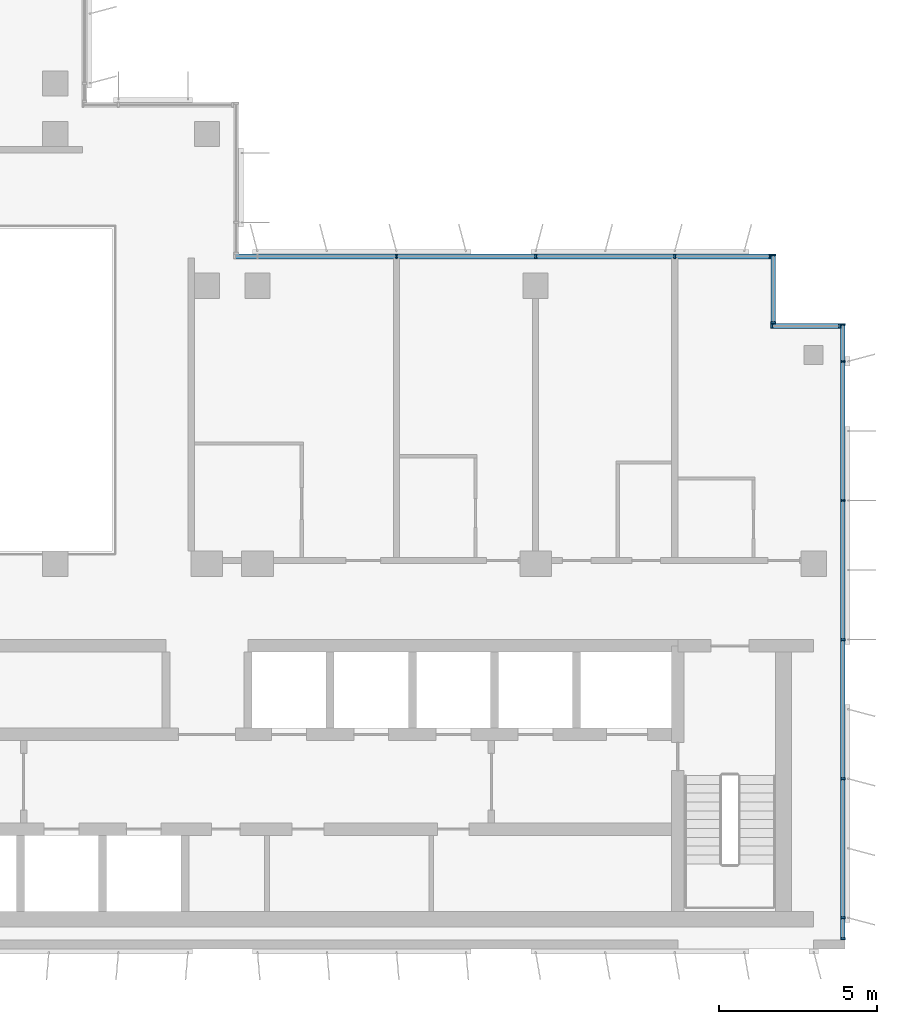
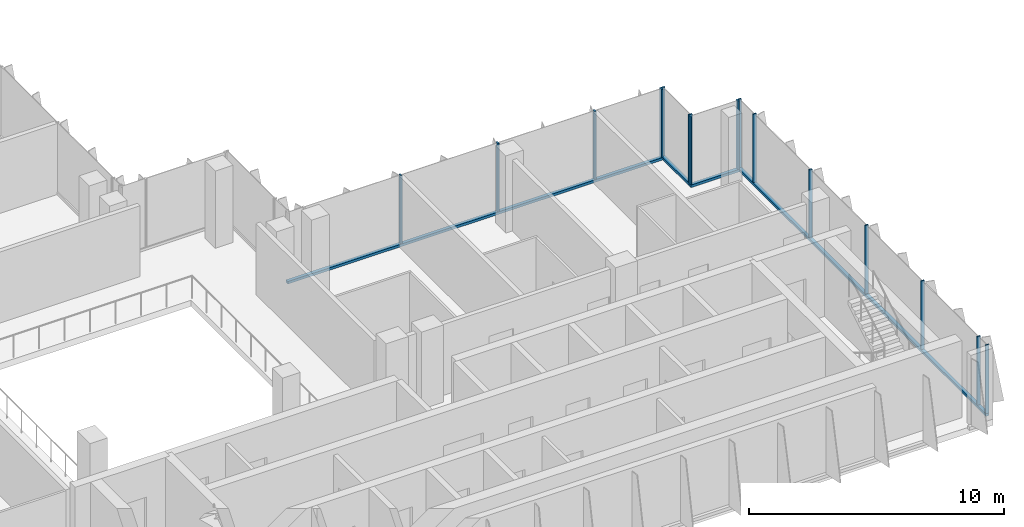
# One storey, part 3 of 15: 19 members, 4 elements without a shape of their own.
"""IFC4 building model written with IfcOpenShell, lengths in metres."""

from ifc_helpers import new_model, si_unit, direction, frame, origin, origin_2d, place, context, subcontext, project, spatial, rectangle, extrude, source, transform, mapped, material, material_profile, profile_set, type_object, element, aggregate, save


model = new_model("IFC4")

# Units and contexts
model_context = context("Model", 3, precision=1e-05, world=origin(), true_north=direction((0.0, 1.0)))
body_context = subcontext(model_context, "Body", "Model", "MODEL_VIEW")
ifc_project = project(units=[si_unit("LENGTHUNIT", "METRE"), si_unit("AREAUNIT", "SQUARE_METRE"), si_unit("VOLUMEUNIT", "CUBIC_METRE"), si_unit("PLANEANGLEUNIT", "RADIAN"), si_unit("MASSUNIT", "GRAM", prefix="KILO")], contexts=[model_context])

# Site, building, storey
site_placement = place(None, origin())
site = spatial("IfcSite", under=ifc_project, at=site_placement, CompositionType="ELEMENT")
building_placement = place(site_placement, origin())
building = spatial("IfcBuilding", under=site, at=building_placement, Name="Kemantara Hotel Tower", CompositionType="ELEMENT")
storey_placement = place(building_placement, frame((0.0, 0.0, 290.699951171875)))
storey = spatial("IfcBuildingStorey", under=building, at=storey_placement, Name="L73", CompositionType="ELEMENT", Elevation=290.699951171875)

# Curtain wall, member
ifc_material_1 = material(Name="Low-E tinted double insulated glass 36 mm", Category="glass")
curtain_wall_type = type_object("IfcCurtainWallType", Name="TOWER CURTAIN WALL, FRONT FACES", PredefinedType="USERDEFINED", material=ifc_material_1)
curtain_wall_1_placement = place(storey_placement, origin())
curtain_wall_1 = element("IfcCurtainWall", 1, at=curtain_wall_1_placement, inside=storey, type_object=curtain_wall_type, Name="CW4 L73 T4-R09-1", ObjectType="TOWER CURTAIN WALL, FRONT FACES", PredefinedType="USERDEFINED")
ifc_material_2 = material(Name="Aluminium 6063-T6 bronze anodised", Category="aluminium")
ifc_material_profile_1 = material_profile(ifc_material_2, rectangle(XDim=0.14990234375, YDim=0.1201171875, at=origin_2d()), Name="TOWER CURTAIN WALL, FRONT FACES TRANSOM")
ifc_profile_set_1 = profile_set([ifc_material_profile_1], Name="Aluminium 6063-T6 bronze anodised")
member_type_1 = type_object("IfcMemberType", Name="TOWER CURTAIN WALL, FRONT FACES TRANSOM", PredefinedType="USERDEFINED", material=ifc_profile_set_1)
member_1_placement = place(storey_placement, frame((45.925048828125, 0.300048828125, 0.06005859375), z_axis=(0.0, 1.0, 0.0), x_axis=(-1.0, 0.0, 0.0)))
member_1 = element("IfcMember", 2, at=member_1_placement, type_object=member_type_1, Name="CW4 sill transom T4-R09-1", ObjectType="TRANSOM", PredefinedType="USERDEFINED", context=body_context, shape_type="SweptSolid", body=[
    extrude(rectangle(XDim=0.14990234375, YDim=0.1201171875, at=origin_2d()), origin(), (0.0, 0.0, 1.0), 19.5),
])

curtain_wall_2_placement = place(storey_placement, origin())
curtain_wall_2 = element("IfcCurtainWall", 3, at=curtain_wall_2_placement, inside=storey, type_object=curtain_wall_type, Name="CW4 L73 T4-R12-1", ObjectType="TOWER CURTAIN WALL, FRONT FACES", PredefinedType="USERDEFINED")
member_2_placement = place(storey_placement, frame((43.64990234375, 21.925048828125, 0.06005859375), z_axis=(-1.0, 0.0, 0.0), x_axis=(0.0, -1.0, 0.0)))
member_2 = element("IfcMember", 4, at=member_2_placement, type_object=member_type_1, Name="CW4 sill transom T4-R12-1", ObjectType="TRANSOM", PredefinedType="USERDEFINED", context=body_context, shape_type="SweptSolid", body=[
    extrude(rectangle(XDim=0.14990234375, YDim=0.1201171875, at=origin_2d()), origin(), (0.0, 0.0, 1.0), 17.0),
])

curtain_wall_3_placement = place(storey_placement, origin())
curtain_wall_3 = element("IfcCurtainWall", 5, at=curtain_wall_3_placement, inside=storey, type_object=curtain_wall_type, Name="CW4 L73 T4-R10-1", ObjectType="TOWER CURTAIN WALL, FRONT FACES", PredefinedType="USERDEFINED")
member_3_placement = place(storey_placement, frame((45.85009765625, 19.72509765625, 0.06005859375), z_axis=(-1.0, 0.0, 0.0), x_axis=(0.0, -1.0, 0.0)))
member_3 = element("IfcMember", 6, at=member_3_placement, type_object=member_type_1, Name="CW4 sill transom T4-R10-1", ObjectType="TRANSOM", PredefinedType="USERDEFINED", context=body_context, shape_type="SweptSolid", body=[
    extrude(rectangle(XDim=0.14990234375, YDim=0.1201171875, at=origin_2d()), origin(), (0.0, 0.0, 1.0), 2.2001953125),
])

curtain_wall_4_placement = place(storey_placement, origin())
curtain_wall_4 = element("IfcCurtainWall", 7, at=curtain_wall_4_placement, inside=storey, type_object=curtain_wall_type, Name="CW4 L73 T4-R11-1", ObjectType="TOWER CURTAIN WALL, FRONT FACES", PredefinedType="USERDEFINED")
member_4_placement = place(storey_placement, frame((43.72509765625, 19.800048828125, 0.06005859375), z_axis=(0.0, 1.0, 0.0), x_axis=(-1.0, 0.0, 0.0)))
member_4 = element("IfcMember", 8, at=member_4_placement, type_object=member_type_1, Name="CW4 sill transom T4-R11-1", ObjectType="TRANSOM", PredefinedType="USERDEFINED", context=body_context, shape_type="SweptSolid", body=[
    extrude(rectangle(XDim=0.14990234375, YDim=0.1201171875, at=origin_2d()), origin(), (0.0, 0.0, 1.0), 2.199951171875),
])

# Member
ifc_material_profile_2 = material_profile(ifc_material_2, rectangle(XDim=0.14990234375, YDim=0.06005859375, at=origin_2d()), Name="TOWER CURTAIN WALL, FRONT FACES MULLION")
ifc_profile_set_2 = profile_set([ifc_material_profile_2], Name="Aluminium 6063-T6 bronze anodised")
member_type_2 = type_object("IfcMemberType", Name="TOWER CURTAIN WALL, FRONT FACES MULLION", PredefinedType="MULLION", material=ifc_profile_set_2)
shared_shape = source(origin(), body_context, "Body", "SweptSolid", [
    extrude(rectangle(XDim=0.14990234375, YDim=0.06005859375, at=origin_2d()), origin(), (0.0, 0.0, 1.0), 3.280029296875),
])
member_5_placement = place(storey_placement, frame((45.925048828125, 0.330078125, 0.1201171875), z_axis=(0.0, 0.0, 1.0), x_axis=(-1.0, 0.0, 0.0)))
member_5 = element("IfcMember", 9, at=member_5_placement, type_object=member_type_2, Name="CW4 mullion T4-R09-1.1", PredefinedType="MULLION", context=body_context, shape_type="MappedRepresentation", body=[
    mapped(shared_shape, transform((0.0, 0.0, 0.0))),
])

member_6_placement = place(storey_placement, frame((45.925048828125, 1.0, 0.1201171875), z_axis=(0.0, 0.0, 1.0), x_axis=(-1.0, 0.0, 0.0)))
member_6 = element("IfcMember", 10, at=member_6_placement, type_object=member_type_2, Name="CW4 mullion T4-R09-1.2", PredefinedType="MULLION", context=body_context, shape_type="MappedRepresentation", body=[
    mapped(shared_shape, transform((0.0, 0.0, 0.0))),
])

member_7_placement = place(storey_placement, frame((45.925048828125, 5.39990234375, 0.1201171875), z_axis=(0.0, 0.0, 1.0), x_axis=(-1.0, 0.0, 0.0)))
member_7 = element("IfcMember", 11, at=member_7_placement, type_object=member_type_2, Name="CW4 mullion T4-R09-1.3", PredefinedType="MULLION", context=body_context, shape_type="MappedRepresentation", body=[
    mapped(shared_shape, transform((0.0, 0.0, 0.0))),
])

member_8_placement = place(storey_placement, frame((45.925048828125, 9.800048828125, 0.1201171875), z_axis=(0.0, 0.0, 1.0), x_axis=(-1.0, 0.0, 0.0)))
member_8 = element("IfcMember", 12, at=member_8_placement, type_object=member_type_2, Name="CW4 mullion T4-R09-1.4", PredefinedType="MULLION", context=body_context, shape_type="MappedRepresentation", body=[
    mapped(shared_shape, transform((0.0, 0.0, 0.0))),
])

member_9_placement = place(storey_placement, frame((45.925048828125, 14.199951171875, 0.1201171875), z_axis=(0.0, 0.0, 1.0), x_axis=(-1.0, 0.0, 0.0)))
member_9 = element("IfcMember", 13, at=member_9_placement, type_object=member_type_2, Name="CW4 mullion T4-R09-1.5", PredefinedType="MULLION", context=body_context, shape_type="MappedRepresentation", body=[
    mapped(shared_shape, transform((0.0, 0.0, 0.0))),
])

member_10_placement = place(storey_placement, frame((45.925048828125, 18.60009765625, 0.1201171875), z_axis=(0.0, 0.0, 1.0), x_axis=(-1.0, 0.0, 0.0)))
member_10 = element("IfcMember", 14, at=member_10_placement, type_object=member_type_2, Name="CW4 mullion T4-R09-1.6", PredefinedType="MULLION", context=body_context, shape_type="MappedRepresentation", body=[
    mapped(shared_shape, transform((0.0, 0.0, 0.0))),
])

member_11_placement = place(storey_placement, frame((45.925048828125, 19.77001953125, 0.1201171875), z_axis=(0.0, 0.0, 1.0), x_axis=(-1.0, 0.0, 0.0)))
member_11 = element("IfcMember", 15, at=member_11_placement, type_object=member_type_2, Name="CW4 mullion T4-R09-1.7", PredefinedType="MULLION", context=body_context, shape_type="MappedRepresentation", body=[
    mapped(shared_shape, transform((0.0, 0.0, 0.0))),
])

aggregate(curtain_wall_1, [member_1, member_5, member_6, member_7, member_8, member_9, member_10, member_11])

member_12_placement = place(storey_placement, frame((43.6201171875, 21.925048828125, 0.1201171875), z_axis=(0.0, 0.0, 1.0), x_axis=(0.0, -1.0, 0.0)))
member_12 = element("IfcMember", 16, at=member_12_placement, type_object=member_type_2, Name="CW4 mullion T4-R12-1.1", PredefinedType="MULLION", context=body_context, shape_type="MappedRepresentation", body=[
    mapped(shared_shape, transform((0.0, 0.0, 0.0))),
])

member_13_placement = place(storey_placement, frame((40.60009765625, 21.925048828125, 0.1201171875), z_axis=(0.0, 0.0, 1.0), x_axis=(0.0, -1.0, 0.0)))
member_13 = element("IfcMember", 17, at=member_13_placement, type_object=member_type_2, Name="CW4 mullion T4-R12-1.2", PredefinedType="MULLION", context=body_context, shape_type="MappedRepresentation", body=[
    mapped(shared_shape, transform((0.0, 0.0, 0.0))),
])

member_14_placement = place(storey_placement, frame((36.199951171875, 21.925048828125, 0.1201171875), z_axis=(0.0, 0.0, 1.0), x_axis=(0.0, -1.0, 0.0)))
member_14 = element("IfcMember", 18, at=member_14_placement, type_object=member_type_2, Name="CW4 mullion T4-R12-1.3", PredefinedType="MULLION", context=body_context, shape_type="MappedRepresentation", body=[
    mapped(shared_shape, transform((0.0, 0.0, 0.0))),
])

member_15_placement = place(storey_placement, frame((31.800048828125, 21.925048828125, 0.1201171875), z_axis=(0.0, 0.0, 1.0), x_axis=(0.0, -1.0, 0.0)))
member_15 = element("IfcMember", 19, at=member_15_placement, type_object=member_type_2, Name="CW4 mullion T4-R12-1.4", PredefinedType="MULLION", context=body_context, shape_type="MappedRepresentation", body=[
    mapped(shared_shape, transform((0.0, 0.0, 0.0))),
])

aggregate(curtain_wall_2, [member_2, member_12, member_13, member_14, member_15])

member_16_placement = place(storey_placement, frame((45.820068359375, 19.72509765625, 0.1201171875), z_axis=(0.0, 0.0, 1.0), x_axis=(0.0, -1.0, 0.0)))
member_16 = element("IfcMember", 20, at=member_16_placement, type_object=member_type_2, Name="CW4 mullion T4-R10-1.1", PredefinedType="MULLION", context=body_context, shape_type="MappedRepresentation", body=[
    mapped(shared_shape, transform((0.0, 0.0, 0.0))),
])

member_17_placement = place(storey_placement, frame((43.679931640625, 19.72509765625, 0.1201171875), z_axis=(0.0, 0.0, 1.0), x_axis=(0.0, -1.0, 0.0)))
member_17 = element("IfcMember", 21, at=member_17_placement, type_object=member_type_2, Name="CW4 mullion T4-R10-1.2", PredefinedType="MULLION", context=body_context, shape_type="MappedRepresentation", body=[
    mapped(shared_shape, transform((0.0, 0.0, 0.0))),
])

aggregate(curtain_wall_3, [member_3, member_16, member_17])

member_18_placement = place(storey_placement, frame((43.72509765625, 19.830078125, 0.1201171875), z_axis=(0.0, 0.0, 1.0), x_axis=(-1.0, 0.0, 0.0)))
member_18 = element("IfcMember", 22, at=member_18_placement, type_object=member_type_2, Name="CW4 mullion T4-R11-1.1", PredefinedType="MULLION", context=body_context, shape_type="MappedRepresentation", body=[
    mapped(shared_shape, transform((0.0, 0.0, 0.0))),
])

member_19_placement = place(storey_placement, frame((43.72509765625, 21.969970703125, 0.1201171875), z_axis=(0.0, 0.0, 1.0), x_axis=(-1.0, 0.0, 0.0)))
member_19 = element("IfcMember", 23, at=member_19_placement, type_object=member_type_2, Name="CW4 mullion T4-R11-1.2", PredefinedType="MULLION", context=body_context, shape_type="MappedRepresentation", body=[
    mapped(shared_shape, transform((0.0, 0.0, 0.0))),
])

aggregate(curtain_wall_4, [member_4, member_18, member_19])

save(model, "model.ifc")
